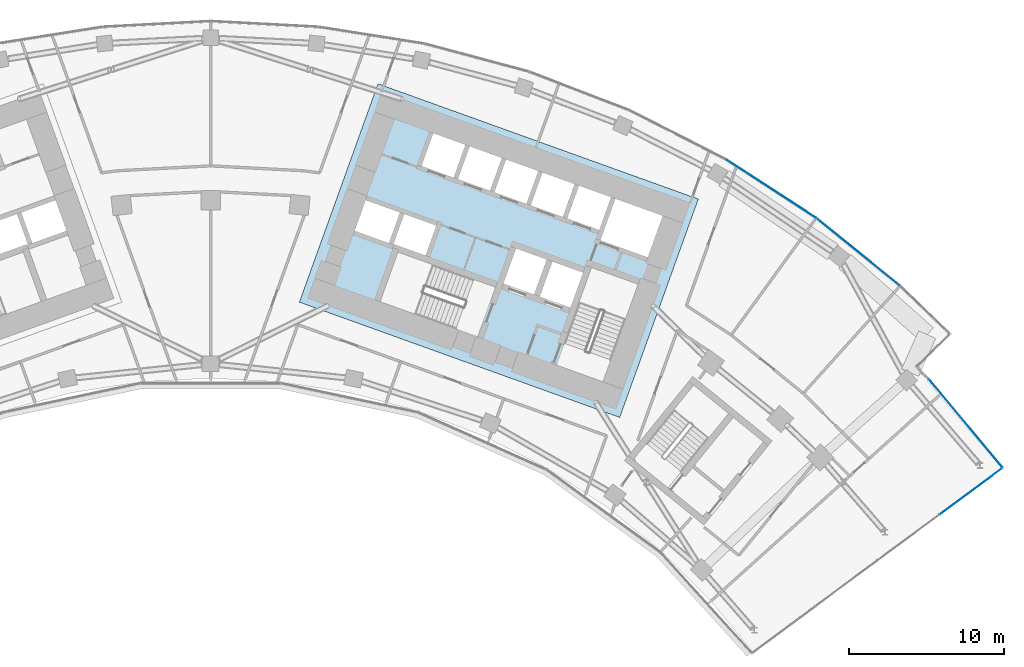
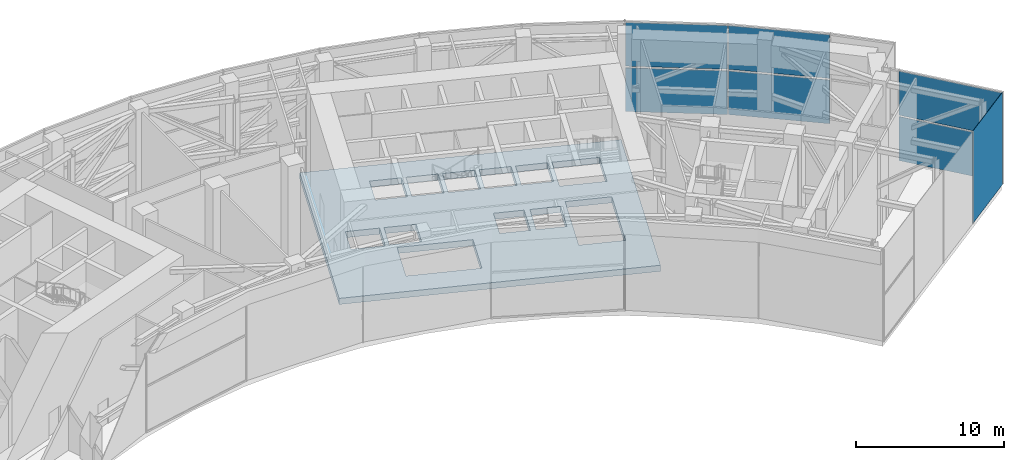
# One storey, part 18 of 32: 7 plates, 1 slab, 3 elements without a shape of their own.
"""IFC4 building model written with IfcOpenShell, lengths in metres."""

from ifc_helpers import new_model, si_unit, direction, frame, origin, origin_2d, place, context, subcontext, project, spatial, polyline, rectangle, outline, extrude, material, layer, layer_set, type_object, element, aggregate, save


model = new_model("IFC4")

# Units and contexts
model_context = context("Model", 3, precision=1e-05, world=origin(), true_north=direction((0.0, 1.0)))
body_context = subcontext(model_context, "Body", "Model", "MODEL_VIEW")
ifc_project = project(units=[si_unit("LENGTHUNIT", "METRE"), si_unit("AREAUNIT", "SQUARE_METRE"), si_unit("VOLUMEUNIT", "CUBIC_METRE"), si_unit("PLANEANGLEUNIT", "RADIAN"), si_unit("MASSUNIT", "GRAM", prefix="KILO")], contexts=[model_context])

# Site, building, storey
site_placement = place(None, origin())
site = spatial("IfcSite", under=ifc_project, at=site_placement, CompositionType="ELEMENT")
building_placement = place(site_placement, origin())
building = spatial("IfcBuilding", under=site, at=building_placement, Name="Stone Belt Terrace Tower", CompositionType="ELEMENT")
storey_placement = place(building_placement, frame((0.0, 0.0, 193.39990234375)))
storey = spatial("IfcBuildingStorey", under=building, at=storey_placement, Name="L47", CompositionType="ELEMENT", Elevation=193.39990234375)

# Curtain wall, plates
ifc_material_1 = material(Name="Aluminium 6063-T6 anodised frame", Category="aluminium")
ifc_layer_1 = layer(ifc_material_1, 0.14990234375)
ifc_layer_set_1 = layer_set([ifc_layer_1], Name="CW-A unitised convex-face curtain wall")
curtain_wall_type_1 = type_object("IfcCurtainWallType", Name="CW-A unitised convex-face curtain wall", PredefinedType="NOTDEFINED", material=ifc_layer_set_1)
curtain_wall_1_placement = place(storey_placement, origin())
curtain_wall_1 = element("IfcCurtainWall", 1, at=curtain_wall_1_placement, inside=storey, type_object=curtain_wall_type_1, Name="CW-A convex face L47", PredefinedType="NOTDEFINED")
ifc_material_2 = material(Name="Terracotta coloured glazed ceramic", Category="masonry")
ifc_layer_2 = layer(ifc_material_2, 0.031982421875)
ifc_layer_set_2 = layer_set([ifc_layer_2], Name="CW-A ceramic louvre panel 32")
plate_type_1 = type_object("IfcPlateType", Name="CW-A ceramic louvre panel 32", PredefinedType="CURTAIN_PANEL", material=ifc_layer_set_2)
plate_1_placement = place(storey_placement, frame((41.839599609375, 51.667724609375, 0.14013671875), z_axis=(0.0, 0.0, 1.0), x_axis=(-0.777145961457, 0.62932039105, 0.0)))
plate_1 = element("IfcPlate", 2, at=plate_1_placement, type_object=plate_type_1, Name="CW-A louvre panel 2.1", PredefinedType="CURTAIN_PANEL", context=body_context, shape_type="SweptSolid", body=[
    extrude(rectangle(XDim=6.90087890625, YDim=0.031982421875, at=origin_2d()), origin(), (0.0, 0.0, 1.0), 3.590087890625),
])
plate_2_placement = place(storey_placement, frame((41.839599609375, 51.667724609375, 3.8701171875), z_axis=(0.0, 0.0, 1.0), x_axis=(-0.777145961457, 0.62932039105, 0.0)))
plate_2 = element("IfcPlate", 3, at=plate_2_placement, type_object=plate_type_1, Name="CW-A louvre panel 2.2", PredefinedType="CURTAIN_PANEL", context=body_context, shape_type="SweptSolid", body=[
    extrude(rectangle(XDim=6.90087890625, YDim=0.031982421875, at=origin_2d()), origin(), (0.0, 0.0, 1.0), 3.590087890625),
])
plate_3_placement = place(storey_placement, frame((36.209716796875, 55.758056640625, 0.14013671875), z_axis=(0.0, 0.0, 1.0), x_axis=(-0.838670567945, 0.544639035015, 0.0)))
plate_3 = element("IfcPlate", 4, at=plate_3_placement, type_object=plate_type_1, Name="CW-A louvre panel 3.1", PredefinedType="CURTAIN_PANEL", context=body_context, shape_type="SweptSolid", body=[
    extrude(rectangle(XDim=6.90087890625, YDim=0.031982421875, at=origin_2d()), origin(), (0.0, 0.0, 1.0), 3.590087890625),
])
plate_4_placement = place(storey_placement, frame((36.209716796875, 55.758056640625, 3.8701171875), z_axis=(0.0, 0.0, 1.0), x_axis=(-0.838670567945, 0.544639035015, 0.0)))
plate_4 = element("IfcPlate", 5, at=plate_4_placement, type_object=plate_type_1, Name="CW-A louvre panel 3.2", PredefinedType="CURTAIN_PANEL", context=body_context, shape_type="SweptSolid", body=[
    extrude(rectangle(XDim=6.90087890625, YDim=0.031982421875, at=origin_2d()), origin(), (0.0, 0.0, 1.0), 3.590087890625),
])
aggregate(curtain_wall_1, [plate_1, plate_2, plate_3, plate_4])

# Curtain wall, plate
ifc_layer_3 = layer(ifc_material_1, 0.14990234375)
ifc_layer_set_3 = layer_set([ifc_layer_3], Name="CW-C stick curtain wall, horn ends and notches")
curtain_wall_type_2 = type_object("IfcCurtainWallType", Name="CW-C stick curtain wall, horn ends and notches", PredefinedType="NOTDEFINED", material=ifc_layer_set_3)
curtain_wall_2_placement = place(storey_placement, origin())
curtain_wall_2 = element("IfcCurtainWall", 6, at=curtain_wall_2_placement, inside=storey, type_object=curtain_wall_type_2, Name="CW-C end face L47", PredefinedType="NOTDEFINED")
ifc_layer_4 = layer(ifc_material_2, 0.028076171875)
ifc_layer_set_4 = layer_set([ifc_layer_4], Name="CW-C ceramic louvre panel 28")
plate_type_2 = type_object("IfcPlateType", Name="CW-C ceramic louvre panel 28", PredefinedType="CURTAIN_PANEL", material=ifc_layer_set_4)
plate_5_placement = place(storey_placement, frame((49.12255859375, 36.195068359375, 0.0), z_axis=(0.0, 0.0, 1.0), x_axis=(0.804329077539, 0.594184091865, 0.0)))
plate_5 = element("IfcPlate", 7, at=plate_5_placement, type_object=plate_type_2, Name="CW-C louvre panel 4.1", PredefinedType="CURTAIN_PANEL", context=body_context, shape_type="SweptSolid", body=[
    extrude(rectangle(XDim=4.974365234375, YDim=0.028076171875, at=origin_2d()), origin(), (0.0, 0.0, 1.0), 7.60009765625),
])
aggregate(curtain_wall_2, [plate_5])

# Curtain wall, plates
curtain_wall_3_placement = place(storey_placement, origin())
curtain_wall_3 = element("IfcCurtainWall", 8, at=curtain_wall_3_placement, inside=storey, type_object=curtain_wall_type_2, Name="CW-C notch face L47", PredefinedType="NOTDEFINED")
plate_6_placement = place(storey_placement, frame((48.780517578125, 40.602783203125, 0.1201171875), z_axis=(0.0, 0.0, 1.0), x_axis=(-0.639949612294, 0.768416874961, 0.0)))
plate_6 = element("IfcPlate", 9, at=plate_6_placement, type_object=plate_type_2, Name="CW-C louvre panel 1.1", PredefinedType="CURTAIN_PANEL", context=body_context, shape_type="SweptSolid", body=[
    extrude(rectangle(XDim=7.359375, YDim=0.028076171875, at=origin_2d()), origin(), (0.0, 0.0, 1.0), 3.6201171875),
])
plate_7_placement = place(storey_placement, frame((48.780517578125, 40.602783203125, 3.860107421875), z_axis=(0.0, 0.0, 1.0), x_axis=(-0.639949612294, 0.768416874961, 0.0)))
plate_7 = element("IfcPlate", 10, at=plate_7_placement, type_object=plate_type_2, Name="CW-C louvre panel 1.2", PredefinedType="CURTAIN_PANEL", context=body_context, shape_type="SweptSolid", body=[
    extrude(rectangle(XDim=7.359375, YDim=0.028076171875, at=origin_2d()), origin(), (0.0, 0.0, 1.0), 3.6201171875),
])
aggregate(curtain_wall_3, [plate_6, plate_7])

# Slab
ifc_material_3 = material(Name="Concrete B40", Category="concrete")
ifc_layer_5 = layer(ifc_material_3, 0.5)
ifc_layer_set_5 = layer_set([ifc_layer_5], Name="Core floor slab 500")
slab_type = type_object("IfcSlabType", Name="Core floor slab 500", PredefinedType="FLOOR", material=ifc_layer_set_5)
slab_placement = place(storey_placement, frame((0.0, 0.0, -0.5)))
element("IfcSlab", 11, at=slab_placement, inside=storey, type_object=slab_type, Name="Core B floor L47", PredefinedType="FLOOR", context=body_context, shape_type="SweptSolid", body=[
    extrude(outline(polyline([(26.43505859375, 40.968994140625), (31.513916015625, 55.0830078125), (10.81396484375, 62.531982421875), (5.735107421875, 48.4189453125), (26.43505859375, 40.968994140625)]), holes=[polyline([(12.10595703125, 51.652099609375), (16.998046875, 49.89208984375), (15.846923828125, 46.69189453125), (10.955078125, 48.452880859375), (12.10595703125, 51.652099609375)]), polyline([(12.511962890625, 54.110107421875), (14.58203125, 53.364990234375), (13.887939453125, 51.43603515625), (11.864990234375, 52.1640625), (11.847900390625, 52.116943359375), (11.801025390625, 52.134033203125), (12.511962890625, 54.110107421875)]), polyline([(9.30810546875, 53.031005859375), (10.01904296875, 55.007080078125), (12.22998046875, 54.2109375), (11.51904296875, 52.235107421875), (9.30810546875, 53.031005859375)]), polyline([(18.333984375, 55.52197265625), (19.095947265625, 57.638916015625), (21.166015625, 56.89404296875), (20.404052734375, 54.777099609375), (18.333984375, 55.52197265625)]), polyline([(16.743896484375, 58.485107421875), (18.81396484375, 57.739990234375), (18.052001953125, 55.623046875), (15.98193359375, 56.367919921875), (16.743896484375, 58.485107421875)]), polyline([(14.39111328125, 59.33203125), (16.4609375, 58.5869140625), (15.699951171875, 56.469970703125), (13.6298828125, 57.215087890625), (14.39111328125, 59.33203125)]), polyline([(27.618896484375, 49.575927734375), (25.85888671875, 44.68408203125), (22.847900390625, 45.76806640625), (24.60791015625, 50.659912109375), (27.618896484375, 49.575927734375)]), polyline([(21.27392578125, 48.778076171875), (22.0869140625, 51.035888671875), (24.06298828125, 50.324951171875), (23.25, 48.06689453125), (21.27392578125, 48.778076171875)]), polyline([(18.922119140625, 49.6240234375), (19.735107421875, 51.883056640625), (21.7109375, 51.1708984375), (20.89794921875, 48.9130859375), (18.922119140625, 49.6240234375)]), polyline([(26.153076171875, 55.09912109375), (29.2109375, 53.9990234375), (28.24609375, 51.31689453125), (25.18798828125, 52.41796875), (26.153076171875, 55.09912109375)]), polyline([(23.801025390625, 55.946044921875), (25.87109375, 55.200927734375), (25.10888671875, 53.083984375), (23.0390625, 53.8291015625), (23.801025390625, 55.946044921875)]), polyline([(21.447998046875, 56.7919921875), (23.51806640625, 56.047119140625), (22.756103515625, 53.929931640625), (20.68603515625, 54.675048828125), (21.447998046875, 56.7919921875)])]), origin(), (0.0, 0.0, 1.0), 0.5),
])

save(model, "model.ifc")
